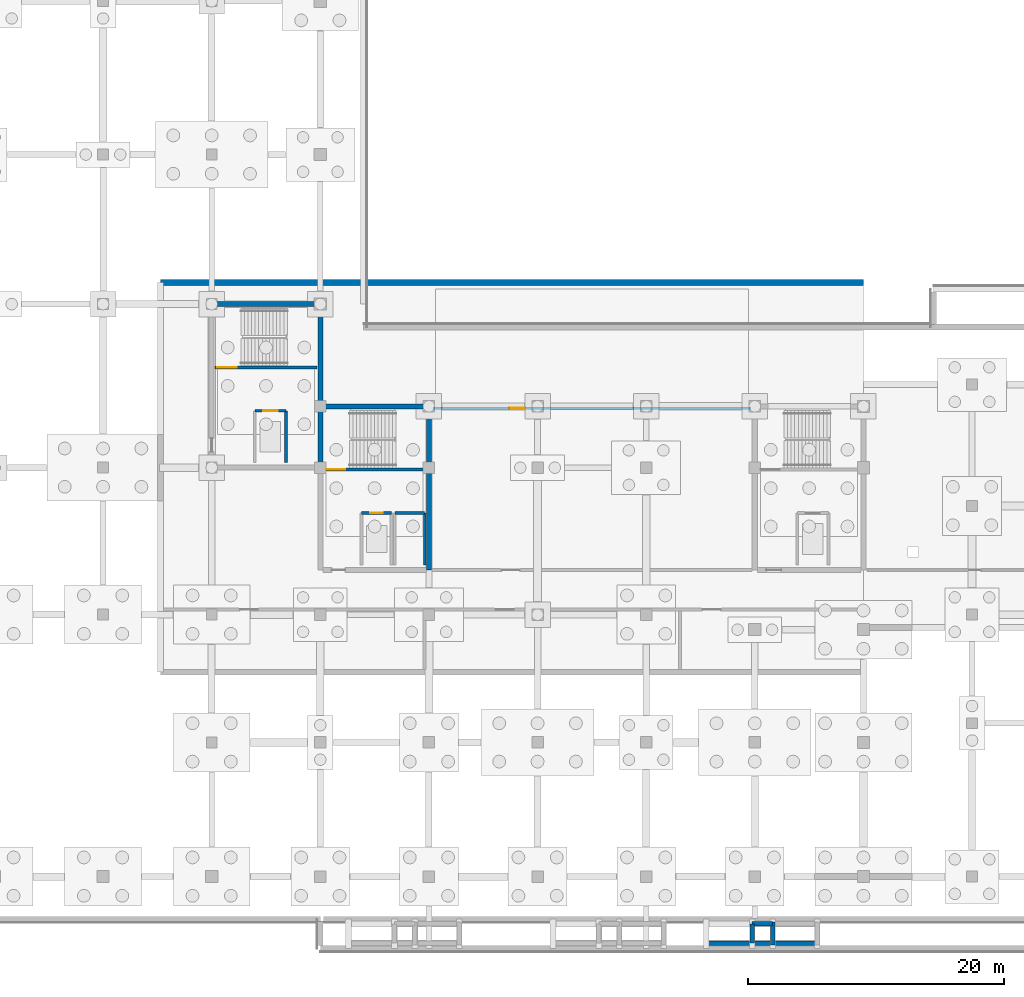
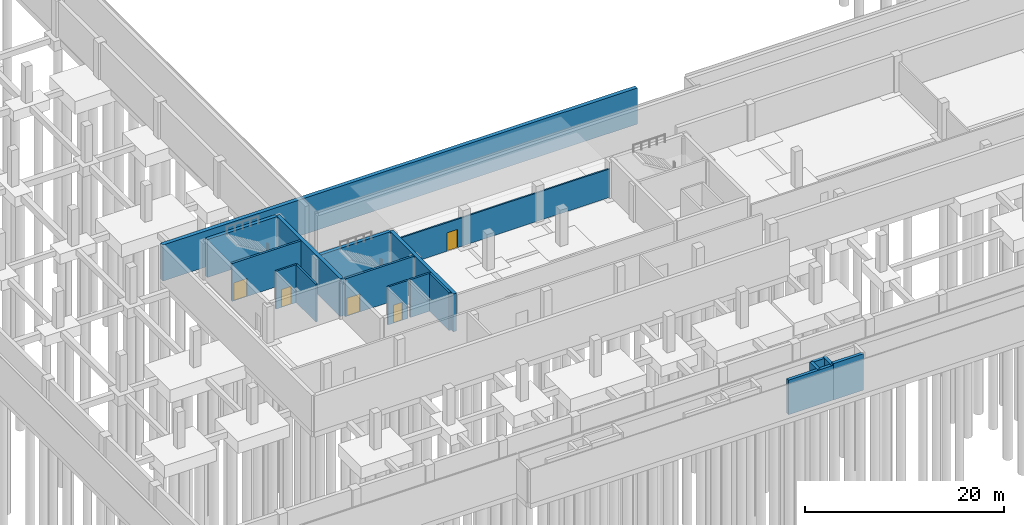
# One storey, part 11 of 25: 18 walls, 5 doors, 5 openings.
"""IFC4 building model written with IfcOpenShell, lengths in metres."""

import ifcopenshell
import ifcopenshell.guid

model = None  # the IFC model being written
_history = None  # IfcOwnerHistory: only IFC2X3 demands one
_inside = {}  # id of a spatial element -> (the spatial element, [elements in it])
_under = {}  # id of a project, library or spatial element -> (it, [spatial elements below it])
_declared = {}  # id of a project -> (the project, [libraries it declares])
_typed = {}  # id of a type object -> (the type object, [elements of that type])
_made_of = {}  # id of a material, layer set ... -> (it, [elements and type objects made of it])


def new_model(schema):
    """Start an empty IFC model of exactly this schema.

    Asked for "IFC4X3", IfcOpenShell would pick the latest addendum, in which some entities
    have other attributes; the version numbers below select the first issue.
    IFC2X3 requires an IfcOwnerHistory on every rooted entity: one is made here for all.
    """
    global model, _history
    if schema == "IFC4X3":
        model = ifcopenshell.file(schema_version=(4, 3, 0, 0))
    else:
        model = ifcopenshell.file(schema=schema)
    _inside.clear()
    _under.clear()
    _declared.clear()
    _typed.clear()
    _made_of.clear()
    _history = None
    if model.schema == "IFC2X3":
        org = make("IfcOrganization", Name="unknown")
        user = make(
            "IfcPersonAndOrganization",
            ThePerson=make("IfcPerson", FamilyName="unknown"),
            TheOrganization=org,
        )
        app = make(
            "IfcApplication",
            ApplicationDeveloper=org,
            Version="unknown",
            ApplicationFullName="unknown",
            ApplicationIdentifier="unknown",
        )
        _history = make(
            "IfcOwnerHistory",
            OwningUser=user,
            OwningApplication=app,
            ChangeAction="ADDED",
            CreationDate=0,
        )
    return model


def make(cls, **values):
    """One entity of the class cls with the attributes given. An attribute that is None is left unset."""
    return model.create_entity(
        cls, **{name: value for name, value in values.items() if value is not None}
    )


def rooted(cls, **values):
    """An entity with a GlobalId (a new one), such as an element, a storey or a relation."""
    return make(cls, GlobalId=ifcopenshell.guid.new(), OwnerHistory=_history, **values)


def si_unit(unit_type, name, prefix=None):
    """IfcSIUnit, for example si_unit("LENGTHUNIT", "METRE", prefix="MILLI")."""
    return make("IfcSIUnit", UnitType=unit_type, Prefix=prefix, Name=name)


def assignment(units):
    """IfcUnitAssignment: the units of a project."""
    return None if units is None else make("IfcUnitAssignment", Units=units)


def point(xyz):
    """IfcCartesianPoint."""
    return None if xyz is None else make("IfcCartesianPoint", Coordinates=xyz)


def direction(xyz):
    """IfcDirection."""
    return None if xyz is None else make("IfcDirection", DirectionRatios=xyz)


def frame(location, z_axis=None, x_axis=None):
    """IfcAxis2Placement3D, a coordinate frame: its origin and axes. An axis left out is left unset."""
    return make(
        "IfcAxis2Placement3D",
        Location=point(location),
        Axis=direction(z_axis),
        RefDirection=direction(x_axis),
    )


def frame_2d(location, x_axis=None):
    """IfcAxis2Placement2D, a coordinate frame in the plane: its origin and x axis."""
    return make(
        "IfcAxis2Placement2D", Location=point(location), RefDirection=direction(x_axis)
    )


def origin():
    """The frame at (0, 0, 0) with its axes left unset."""
    return frame((0.0, 0.0, 0.0))


def place(relative_to, where):
    """IfcLocalPlacement: puts the frame where relative to a parent placement (None: the world)."""
    return make(
        "IfcLocalPlacement", PlacementRelTo=relative_to, RelativePlacement=where
    )


def context(
    kind, dimensions, precision=None, world=None, true_north=None, identifier=None
):
    """IfcGeometricRepresentationContext, for example the 3D "Model" context."""
    return make(
        "IfcGeometricRepresentationContext",
        ContextIdentifier=identifier,
        ContextType=kind,
        CoordinateSpaceDimension=dimensions,
        Precision=precision,
        WorldCoordinateSystem=world,
        TrueNorth=true_north,
    )


def subcontext(parent, identifier, kind, view, scale=None):
    """IfcGeometricRepresentationSubContext, for example "Body" below "Model"."""
    return make(
        "IfcGeometricRepresentationSubContext",
        ContextIdentifier=identifier,
        ContextType=kind,
        ParentContext=parent,
        TargetScale=scale,
        TargetView=view,
    )


def project(units=None, contexts=None):
    """IfcProject with its units and contexts."""
    return rooted(
        "IfcProject",
        Name="project",
        RepresentationContexts=contexts,
        UnitsInContext=assignment(units),
    )


def spatial(cls, under=None, at=None, **own):
    """A site, building, storey or space (cls), placed at a placement, below another one or the project."""
    s = rooted(cls, ObjectPlacement=at, **own)
    if under is not None:
        _under.setdefault(under.id(), (under, []))[1].append(s)
    return s


def profile(cls, at=None, kind="AREA", **sizes):
    """A parametric profile (cls). Its sizes go by their IFC names, for example OverallWidth=200.0."""
    return make(cls, ProfileType=kind, Position=at, **sizes)


def rectangle(**sizes):
    """IfcRectangleProfileDef."""
    return profile("IfcRectangleProfileDef", **sizes)


def extrude(swept, where, along, depth):
    """IfcExtrudedAreaSolid: the profile swept, set in the frame where, extruded along a direction by depth."""
    return make(
        "IfcExtrudedAreaSolid",
        SweptArea=swept,
        Position=where,
        ExtrudedDirection=direction(along),
        Depth=depth,
    )


def shape(context_of_items, identifier, shape_type, items):
    """IfcShapeRepresentation: the items that make up one representation, for example the "Body"."""
    return make(
        "IfcShapeRepresentation",
        ContextOfItems=context_of_items,
        RepresentationIdentifier=identifier,
        RepresentationType=shape_type,
        Items=items,
    )


def material(Name=None, Category=None):
    """IfcMaterial."""
    return make("IfcMaterial", Name=Name, Category=Category)


def layer(
    of_material, thickness, ventilated=None, Name=None, Category=None, Priority=None
):
    """IfcMaterialLayer: one layer of a wall or slab, of a material (None: an air gap)."""
    return make(
        "IfcMaterialLayer",
        Material=of_material,
        LayerThickness=thickness,
        IsVentilated=ventilated,
        Name=Name,
        Category=Category,
        Priority=Priority,
    )


def layer_set(layers, Name=None):
    """IfcMaterialLayerSet."""
    return make("IfcMaterialLayerSet", MaterialLayers=layers, LayerSetName=Name)


def made_of(thing, what):
    """Note that an element or type object is made of a material, layer set ...; save() writes the relation."""
    if what is not None:
        _made_of.setdefault(what.id(), (what, []))[1].append(thing)
    return thing


def type_object(cls, material=None, **own):
    """A type object (cls), such as IfcWallType, which elements share."""
    return made_of(rooted(cls, **own), material)


def element(
    cls,
    number,
    at=None,
    inside=None,
    cuts=None,
    type_object=None,
    material=None,
    context=None,
    identifier="Body",
    shape_type=None,
    held_by="IfcProductDefinitionShape",
    body=None,
    shapes=None,
    **own,
):
    """One element of the class cls, such as IfcWall. Its Tag is "e" and its number.

    at: its placement. inside: the storey or other place that contains it. cuts: it is an
    opening in that element (IfcRelVoidsElement). A single representation is given by context,
    identifier, shape_type and body (its items); several are given by shapes. held_by: the class
    of the entity that holds the representations. save() writes the other relations.
    """
    e = rooted(cls, Tag="e%d" % number, ObjectPlacement=at, **own)
    if body is not None:
        shapes = [shape(context, identifier, shape_type, body)]
    if shapes is not None:
        e.Representation = make(held_by, Representations=shapes)
    if inside is not None:
        _inside.setdefault(inside.id(), (inside, []))[1].append(e)
    if cuts is not None:
        rooted(
            "IfcRelVoidsElement", RelatingBuildingElement=cuts, RelatedOpeningElement=e
        )
    if type_object is not None:
        _typed.setdefault(type_object.id(), (type_object, []))[1].append(e)
    return made_of(e, material)


def fill(opening, filler):
    """IfcRelFillsElement: the door or window that sits in an opening."""
    return rooted(
        "IfcRelFillsElement",
        RelatingOpeningElement=opening,
        RelatedBuildingElement=filler,
    )


def aggregate(whole, parts):
    """IfcRelAggregates: a whole, such as a stair, and the parts it consists of."""
    return rooted("IfcRelAggregates", RelatingObject=whole, RelatedObjects=parts)


def save(model, path):
    """Write the relations noted so far, then the file.

    IfcRelAggregates (storeys below a building ...), IfcRelContainedInSpatialStructure (elements
    in a storey), IfcRelDefinesByType, IfcRelAssociatesMaterial and IfcRelDeclares: one each for
    every whole, place, type object, material and project.
    """
    for whole, parts in _under.values():
        aggregate(whole, parts)
    for where, things in _inside.values():
        rooted(
            "IfcRelContainedInSpatialStructure",
            RelatedElements=things,
            RelatingStructure=where,
        )
    for kind, things in _typed.values():
        rooted("IfcRelDefinesByType", RelatedObjects=things, RelatingType=kind)
    for what, things in _made_of.values():
        rooted("IfcRelAssociatesMaterial", RelatedObjects=things, RelatingMaterial=what)
    for by, libraries in _declared.values():
        rooted("IfcRelDeclares", RelatingContext=by, RelatedDefinitions=libraries)
    model.write(path)


model = new_model("IFC4")

# Units and contexts
model_context = context("Model", 3, precision=1e-05, world=origin(), true_north=direction((0.0, 1.0)))
body_context = subcontext(model_context, "Body", "Model", "MODEL_VIEW")
ifc_project = project(units=[si_unit("LENGTHUNIT", "METRE"), si_unit("AREAUNIT", "SQUARE_METRE"), si_unit("VOLUMEUNIT", "CUBIC_METRE"), si_unit("PLANEANGLEUNIT", "RADIAN"), si_unit("MASSUNIT", "GRAM", prefix="KILO")], contexts=[model_context])

# Site, building, storey
site_placement = place(None, origin())
site = spatial("IfcSite", under=ifc_project, at=site_placement, CompositionType="ELEMENT")
building_placement = place(site_placement, origin())
building = spatial("IfcBuilding", under=site, at=building_placement, Name="Solvikara Media Centre", CompositionType="ELEMENT")
storey_placement = place(building_placement, frame((0.0, 0.0, -4.800048828125)))
storey = spatial("IfcBuildingStorey", under=building, at=storey_placement, Name="B01", CompositionType="ELEMENT", Elevation=-4.800048828125)

# Walls
ifc_material_1 = material(Name="Concrete fc' 45 MPa (C45/55)", Category="concrete")
ifc_layer_1 = layer(ifc_material_1, 0.449951171875)
ifc_layer_set_1 = layer_set([ifc_layer_1], Name="Concrete fc' 45 MPa (C45/55)")
wall_type_1 = type_object("IfcWallType", Name="WT-01", PredefinedType="SHEAR", material=ifc_layer_set_1)
wall_1_placement = place(storey_placement, frame((21.5, 46.5, 0.0), z_axis=(0.0, 0.0, 1.0), x_axis=(1.0, 0.0, 0.0)))
element("IfcWall", 1, at=wall_1_placement, inside=storey, type_object=wall_type_1, Name="W-B01-03", PredefinedType="SHEAR", context=body_context, shape_type="SweptSolid", body=[
    extrude(rectangle(XDim=55.0, YDim=0.449951171875, at=frame_2d((27.5, 0.0))), origin(), (0.0, 0.0, 1.0), 4.420166015625),
])
ifc_layer_2 = layer(ifc_material_1, 0.39990234375)
ifc_layer_set_2 = layer_set([ifc_layer_2], Name="Concrete fc' 45 MPa (C45/55)")
wall_type_2 = type_object("IfcWallType", Name="WT-02", PredefinedType="SHEAR", material=ifc_layer_set_2)
wall_2_placement = place(storey_placement, frame((34.0, 32.0, 0.0), z_axis=(0.0, 0.0, 1.0), x_axis=(0.0, 1.0, 0.0)))
element("IfcWall", 2, at=wall_2_placement, inside=storey, type_object=wall_type_2, Name="CW-C1-B01-E", PredefinedType="SHEAR", context=body_context, shape_type="SweptSolid", body=[
    extrude(rectangle(XDim=12.800048828125, YDim=0.39990234375, at=frame_2d((6.39990234375, 0.0))), origin(), (0.0, 0.0, 1.0), 4.64013671875),
])
wall_3_placement = place(storey_placement, frame((25.699951171875, 44.800048828125, 0.0), z_axis=(0.0, 0.0, 1.0), x_axis=(1.0, 0.0, 0.0)))
element("IfcWall", 3, at=wall_3_placement, inside=storey, type_object=wall_type_2, Name="CW-C1-B01-N", PredefinedType="SHEAR", context=body_context, shape_type="SweptSolid", body=[
    extrude(rectangle(XDim=8.10009765625, YDim=0.39990234375, at=frame_2d((4.050048828125, 0.0))), origin(), (0.0, 0.0, 1.0), 4.64013671875),
])
wall_4_placement = place(storey_placement, frame((42.5, 24.0, 0.0), z_axis=(0.0, 0.0, 1.0), x_axis=(0.0, 1.0, 0.0)))
element("IfcWall", 4, at=wall_4_placement, inside=storey, type_object=wall_type_2, Name="CW-C2-B01-E", PredefinedType="SHEAR", context=body_context, shape_type="SweptSolid", body=[
    extrude(rectangle(XDim=12.800048828125, YDim=0.39990234375, at=frame_2d((6.39990234375, 0.0))), origin(), (0.0, 0.0, 1.0), 4.64013671875),
])
wall_5_placement = place(storey_placement, frame((34.199951171875, 36.800048828125, 0.0), z_axis=(0.0, 0.0, 1.0), x_axis=(1.0, 0.0, 0.0)))
element("IfcWall", 5, at=wall_5_placement, inside=storey, type_object=wall_type_2, Name="CW-C2-B01-N", PredefinedType="SHEAR", context=body_context, shape_type="SweptSolid", body=[
    extrude(rectangle(XDim=8.10009765625, YDim=0.39990234375, at=frame_2d((4.050048828125, 0.0))), origin(), (0.0, 0.0, 1.0), 4.64013671875),
])

# Wall, opening, door
ifc_layer_3 = layer(ifc_material_1, 0.25)
ifc_layer_set_3 = layer_set([ifc_layer_3], Name="Concrete fc' 45 MPa (C45/55)")
wall_type_3 = type_object("IfcWallType", Name="WT-07", PredefinedType="STANDARD", material=ifc_layer_set_3)
wall_6_placement = place(storey_placement, frame((25.75, 39.85009765625, 0.0), z_axis=(0.0, 0.0, 1.0), x_axis=(1.0, 0.0, 0.0)))
wall_6 = element("IfcWall", 6, at=wall_6_placement, inside=storey, type_object=wall_type_3, Name="CW-C1-B01-SD", PredefinedType="STANDARD", context=body_context, shape_type="SweptSolid", body=[
    extrude(rectangle(XDim=8.0, YDim=0.25, at=frame_2d((4.0, 0.0))), origin(), (0.0, 0.0, 1.0), 4.64013671875),
])
opening_1_placement = place(wall_6_placement, frame((0.199951171875, 0.0, 0.0)))
opening_1 = element("IfcOpeningElement", 7, at=opening_1_placement, cuts=wall_6, Name="Opening D-C1-B01-ST", PredefinedType="OPENING", context=body_context, shape_type="SweptSolid", body=[
    extrude(rectangle(XDim=1.5, YDim=2.199951171875, at=frame_2d((0.75, 1.10009765625))), frame((0.0, 0.136962890625, 0.0), z_axis=(0.0, -1.0, 0.0), x_axis=(1.0, 0.0, 0.0)), (0.0, 0.0, 1.0), 0.27392578125),
])
ifc_material_2 = material(Name="Insulated fire-rated steel door leaf", Category="steel")
door_type_1 = type_object("IfcDoorType", Name="DT-08", OperationType="DOUBLE_DOOR_SINGLE_SWING", PredefinedType="DOOR", material=ifc_material_2)
door_1_placement = place(opening_1_placement, frame((1.5, 0.0, 0.0), z_axis=(0.0, 0.0, 1.0), x_axis=(-1.0, 0.0, 0.0)))
door_1 = element("IfcDoor", 8, at=door_1_placement, inside=storey, type_object=door_type_1, Name="D-C1-B01-ST", OperationType="DOUBLE_DOOR_SINGLE_SWING", OverallHeight=2.199951171875, OverallWidth=1.5, PredefinedType="DOOR", context=body_context, shape_type="SweptSolid", body=[
    extrude(rectangle(XDim=1.5, YDim=2.199951171875, at=frame_2d((0.75, 1.10009765625))), frame((0.0, 0.02490234375, 0.0), z_axis=(0.0, -1.0, 0.0), x_axis=(1.0, 0.0, 0.0)), (0.0, 0.0, 1.0), 0.050048828125),
])
fill(opening_1, door_1)

wall_7_placement = place(storey_placement, frame((34.25, 31.85009765625, 0.0), z_axis=(0.0, 0.0, 1.0), x_axis=(1.0, 0.0, 0.0)))
wall_7 = element("IfcWall", 9, at=wall_7_placement, inside=storey, type_object=wall_type_3, Name="CW-C2-B01-SD", PredefinedType="STANDARD", context=body_context, shape_type="SweptSolid", body=[
    extrude(rectangle(XDim=8.0, YDim=0.25, at=frame_2d((4.0, 0.0))), origin(), (0.0, 0.0, 1.0), 4.64013671875),
])
opening_2_placement = place(wall_7_placement, frame((0.199951171875, 0.0, 0.0)))
opening_2 = element("IfcOpeningElement", 10, at=opening_2_placement, cuts=wall_7, Name="Opening D-C2-B01-ST", PredefinedType="OPENING", context=body_context, shape_type="SweptSolid", body=[
    extrude(rectangle(XDim=1.5, YDim=2.199951171875, at=frame_2d((0.75, 1.10009765625))), frame((0.0, 0.136962890625, 0.0), z_axis=(0.0, -1.0, 0.0), x_axis=(1.0, 0.0, 0.0)), (0.0, 0.0, 1.0), 0.27392578125),
])
door_2_placement = place(opening_2_placement, frame((1.5, 0.0, 0.0), z_axis=(0.0, 0.0, 1.0), x_axis=(-1.0, 0.0, 0.0)))
door_2 = element("IfcDoor", 11, at=door_2_placement, inside=storey, type_object=door_type_1, Name="D-C2-B01-ST", OperationType="DOUBLE_DOOR_SINGLE_SWING", OverallHeight=2.199951171875, OverallWidth=1.5, PredefinedType="DOOR", context=body_context, shape_type="SweptSolid", body=[
    extrude(rectangle(XDim=1.5, YDim=2.199951171875, at=frame_2d((0.75, 1.10009765625))), frame((0.0, 0.02490234375, 0.0), z_axis=(0.0, -1.0, 0.0), x_axis=(1.0, 0.0, 0.0)), (0.0, 0.0, 1.0), 0.050048828125),
])
fill(opening_2, door_2)

# Wall
ifc_material_3 = material(Name="Fire-rated gypsum and mineral-wool shaft wall assembly")
ifc_layer_4 = layer(ifc_material_3, 0.2099609375)
ifc_layer_set_4 = layer_set([ifc_layer_4], Name="Fire-rated gypsum and mineral-wool shaft wall assembly")
wall_type_4 = type_object("IfcWallType", Name="WT-17", PredefinedType="PARTITIONING", material=ifc_layer_set_4)
wall_8_placement = place(storey_placement, frame((31.320068359375, 32.39990234375, 0.0), z_axis=(0.0, 0.0, 1.0), x_axis=(0.0, 1.0, 0.0)))
element("IfcWall", 12, at=wall_8_placement, inside=storey, type_object=wall_type_4, Name="LW-LF-S1-B01-E", PredefinedType="PARTITIONING", context=body_context, shape_type="SweptSolid", body=[
    extrude(rectangle(XDim=4.050048828125, YDim=0.2099609375, at=frame_2d((2.02490234375, 0.0))), origin(), (0.0, 0.0, 1.0), 4.64013671875),
])

# Wall, opening, door
wall_9_placement = place(storey_placement, frame((28.8798828125, 36.449951171875, 0.0), z_axis=(0.0, 0.0, 1.0), x_axis=(1.0, 0.0, 0.0)))
wall_9 = element("IfcWall", 13, at=wall_9_placement, inside=storey, type_object=wall_type_4, Name="LW-LF-S1-B01-N", PredefinedType="PARTITIONING", context=body_context, shape_type="SweptSolid", body=[
    extrude(rectangle(XDim=2.440185546875, YDim=0.2099609375, at=frame_2d((1.22021484375, 0.0))), origin(), (0.0, 0.0, 1.0), 4.64013671875),
])
opening_3_placement = place(wall_9_placement, frame((0.669921875, 0.0, 0.0)))
opening_3 = element("IfcOpeningElement", 14, at=opening_3_placement, cuts=wall_9, Name="Opening LD-LF-S1-B01", PredefinedType="OPENING", context=body_context, shape_type="SweptSolid", body=[
    extrude(rectangle(XDim=1.10009765625, YDim=2.199951171875, at=frame_2d((0.550048828125, 1.10009765625))), frame((0.0, 0.116943359375, 0.0), z_axis=(0.0, -1.0, 0.0), x_axis=(1.0, 0.0, 0.0)), (0.0, 0.0, 1.0), 0.23388671875),
])
door_type_2 = type_object("IfcDoorType", Name="LD-01", OperationType="DOUBLE_DOOR_SLIDING", PredefinedType="DOOR", material=ifc_material_2)
door_3_placement = place(opening_3_placement, origin())
door_3 = element("IfcDoor", 15, at=door_3_placement, inside=storey, type_object=door_type_2, Name="LD-LF-S1-B01", OperationType="DOUBLE_DOOR_SLIDING", OverallHeight=2.199951171875, OverallWidth=1.10009765625, PredefinedType="DOOR", context=body_context, shape_type="SweptSolid", body=[
    extrude(rectangle(XDim=1.10009765625, YDim=2.199951171875, at=frame_2d((0.550048828125, 1.10009765625))), frame((0.0, 0.02490234375, 0.0), z_axis=(0.0, -1.0, 0.0), x_axis=(1.0, 0.0, 0.0)), (0.0, 0.0, 1.0), 0.050048828125),
])
fill(opening_3, door_3)

wall_10_placement = place(storey_placement, frame((37.22998046875, 28.449951171875, 0.0), z_axis=(0.0, 0.0, 1.0), x_axis=(1.0, 0.0, 0.0)))
wall_10 = element("IfcWall", 16, at=wall_10_placement, inside=storey, type_object=wall_type_4, Name="LW-LF-P1-B01-N", PredefinedType="PARTITIONING", context=body_context, shape_type="SweptSolid", body=[
    extrude(rectangle(XDim=2.340087890625, YDim=0.2099609375, at=frame_2d((1.169921875, 0.0))), origin(), (0.0, 0.0, 1.0), 4.64013671875),
])
opening_4_placement = place(wall_10_placement, frame((0.669921875, 0.0, 0.0)))
opening_4 = element("IfcOpeningElement", 17, at=opening_4_placement, cuts=wall_10, Name="Opening LD-LF-P1-B01", PredefinedType="OPENING", context=body_context, shape_type="SweptSolid", body=[
    extrude(rectangle(XDim=1.0, YDim=2.199951171875, at=frame_2d((0.5, 1.10009765625))), frame((0.0, 0.116943359375, 0.0), z_axis=(0.0, -1.0, 0.0), x_axis=(1.0, 0.0, 0.0)), (0.0, 0.0, 1.0), 0.23388671875),
])
door_type_3 = type_object("IfcDoorType", Name="LD-02", OperationType="DOUBLE_DOOR_SLIDING", PredefinedType="DOOR", material=ifc_material_2)
door_4_placement = place(opening_4_placement, origin())
door_4 = element("IfcDoor", 18, at=door_4_placement, inside=storey, type_object=door_type_3, Name="LD-LF-P1-B01", OperationType="DOUBLE_DOOR_SLIDING", OverallHeight=2.199951171875, OverallWidth=1.0, PredefinedType="DOOR", context=body_context, shape_type="SweptSolid", body=[
    extrude(rectangle(XDim=1.0, YDim=2.199951171875, at=frame_2d((0.5, 1.10009765625))), frame((0.0, 0.02490234375, 0.0), z_axis=(0.0, -1.0, 0.0), x_axis=(1.0, 0.0, 0.0)), (0.0, 0.0, 1.0), 0.050048828125),
])
fill(opening_4, door_4)

# Walls
wall_11_placement = place(storey_placement, frame((42.169921875, 24.39990234375, 0.0), z_axis=(0.0, 0.0, 1.0), x_axis=(0.0, 1.0, 0.0)))
element("IfcWall", 19, at=wall_11_placement, inside=storey, type_object=wall_type_4, Name="LW-LF-P2-B01-E", PredefinedType="PARTITIONING", context=body_context, shape_type="SweptSolid", body=[
    extrude(rectangle(XDim=4.050048828125, YDim=0.2099609375, at=frame_2d((2.02490234375, 0.0))), origin(), (0.0, 0.0, 1.0), 4.64013671875),
])
wall_12_placement = place(storey_placement, frame((39.830078125, 28.449951171875, 0.0), z_axis=(0.0, 0.0, 1.0), x_axis=(1.0, 0.0, 0.0)))
element("IfcWall", 20, at=wall_12_placement, inside=storey, type_object=wall_type_4, Name="LW-LF-P2-B01-N", PredefinedType="PARTITIONING", context=body_context, shape_type="SweptSolid", body=[
    extrude(rectangle(XDim=2.33984375, YDim=0.2099609375, at=frame_2d((1.169921875, 0.0))), origin(), (0.0, 0.0, 1.0), 4.64013671875),
])

# Wall, opening, door
ifc_layer_5 = layer(ifc_material_3, 0.179931640625)
ifc_layer_set_5 = layer_set([ifc_layer_5], Name="Fire-rated gypsum and mineral-wool shaft wall assembly")
wall_type_5 = type_object("IfcWallType", Name="WT-18", PredefinedType="PARTITIONING", material=ifc_layer_set_5)
wall_13_placement = place(storey_placement, frame((42.800048828125, 36.64990234375, 0.0), z_axis=(0.0, 0.0, 1.0), x_axis=(1.0, 0.0, 0.0)))
wall_13 = element("IfcWall", 21, at=wall_13_placement, inside=storey, type_object=wall_type_5, Name="PW-B01-005", PredefinedType="PARTITIONING", context=body_context, shape_type="SweptSolid", body=[
    extrude(rectangle(XDim=24.89990234375, YDim=0.179931640625, at=frame_2d((12.449951171875, 0.0))), origin(), (0.0, 0.0, 1.0), 3.5),
])
opening_5_placement = place(wall_13_placement, frame((6.0, 0.0, 0.0)))
opening_5 = element("IfcOpeningElement", 22, at=opening_5_placement, cuts=wall_13, Name="Opening D-B01-005-1", PredefinedType="OPENING", context=body_context, shape_type="SweptSolid", body=[
    extrude(rectangle(XDim=1.25, YDim=2.25, at=frame_2d((0.625, 1.125))), frame((0.0, 0.10205078125, 0.0), z_axis=(0.0, -1.0, 0.0), x_axis=(1.0, 0.0, 0.0)), (0.0, 0.0, 1.0), 0.203857421875),
])
ifc_material_4 = material(Name="Solid core acoustic hardwood timber", Category="wood")
door_type_4 = type_object("IfcDoorType", Name="DT-15", OperationType="NOTDEFINED", PredefinedType="DOOR", material=ifc_material_4)
door_5_placement = place(opening_5_placement, origin())
door_5 = element("IfcDoor", 23, at=door_5_placement, inside=storey, type_object=door_type_4, Name="D-B01-005-1", OperationType="SINGLE_SWING_LEFT", OverallHeight=2.25, OverallWidth=1.25, PredefinedType="DOOR", context=body_context, shape_type="SweptSolid", body=[
    extrude(rectangle(XDim=1.25, YDim=2.25, at=frame_2d((0.625, 1.125))), frame((0.0, 0.02490234375, 0.0), z_axis=(0.0, -1.0, 0.0), x_axis=(1.0, 0.0, 0.0)), (0.0, 0.0, 1.0), 0.050048828125),
])
fill(opening_5, door_5)

# Walls
ifc_layer_6 = layer(ifc_material_1, 0.360107421875)
ifc_layer_set_6 = layer_set([ifc_layer_6], Name="Concrete fc' 45 MPa (C45/55)")
wall_type_6 = type_object("IfcWallType", Name="WT-23", PredefinedType="STANDARD", material=ifc_layer_set_6)
wall_14_placement = place(storey_placement, frame((64.199951171875, -5.199951171875, 0.0), z_axis=(0.0, 0.0, 1.0), x_axis=(1.0, 0.0, 0.0)))
element("IfcWall", 24, at=wall_14_placement, inside=storey, type_object=wall_type_6, Name="RW-03-S", PredefinedType="STANDARD", context=body_context, shape_type="SweptSolid", body=[
    extrude(rectangle(XDim=5.199951171875, YDim=0.360107421875, at=frame_2d((2.60009765625, 0.0))), origin(), (0.0, 0.0, 1.0), 4.25),
])
wall_15_placement = place(storey_placement, frame((69.39990234375, -5.199951171875, 0.0), z_axis=(0.0, 0.0, 1.0), x_axis=(1.0, 0.0, 0.0)))
element("IfcWall", 25, at=wall_15_placement, inside=storey, type_object=wall_type_6, Name="RW-03-S2", PredefinedType="STANDARD", context=body_context, shape_type="SweptSolid", body=[
    extrude(rectangle(XDim=3.47998046875, YDim=0.360107421875, at=frame_2d((1.739990234375, 0.0))), origin(), (0.0, 0.0, 1.0), 4.449951171875),
])
wall_16_placement = place(storey_placement, frame((67.800048828125, -3.699951171875, 0.0), z_axis=(0.0, 0.0, 1.0), x_axis=(1.0, 0.0, 0.0)))
element("IfcWall", 26, at=wall_16_placement, inside=storey, type_object=wall_type_6, Name="RW-03-N", PredefinedType="STANDARD", context=body_context, shape_type="SweptSolid", body=[
    extrude(rectangle(XDim=1.599853515625, YDim=0.360107421875, at=frame_2d((0.7998046875, 0.0))), origin(), (0.0, 0.0, 1.0), 4.25),
])
wall_17_placement = place(storey_placement, frame((67.800048828125, -5.199951171875, 0.0), z_axis=(0.0, 0.0, 1.0), x_axis=(0.0, 1.0, 0.0)))
element("IfcWall", 27, at=wall_17_placement, inside=storey, type_object=wall_type_6, Name="RW-03-W", PredefinedType="STANDARD", context=body_context, shape_type="SweptSolid", body=[
    extrude(rectangle(XDim=1.5, YDim=0.360107421875, at=frame_2d((0.75, 0.0))), origin(), (0.0, 0.0, 1.0), 4.25),
])
wall_18_placement = place(storey_placement, frame((69.39990234375, -5.35009765625, 0.0), z_axis=(0.0, 0.0, 1.0), x_axis=(0.0, 1.0, 0.0)))
element("IfcWall", 28, at=wall_18_placement, inside=storey, type_object=wall_type_6, Name="RW-03-E", PredefinedType="STANDARD", context=body_context, shape_type="SweptSolid", body=[
    extrude(rectangle(XDim=1.800048828125, YDim=0.360107421875, at=frame_2d((0.89990234375, 0.0))), origin(), (0.0, 0.0, 1.0), 4.2900390625),
])

save(model, "model.ifc")
